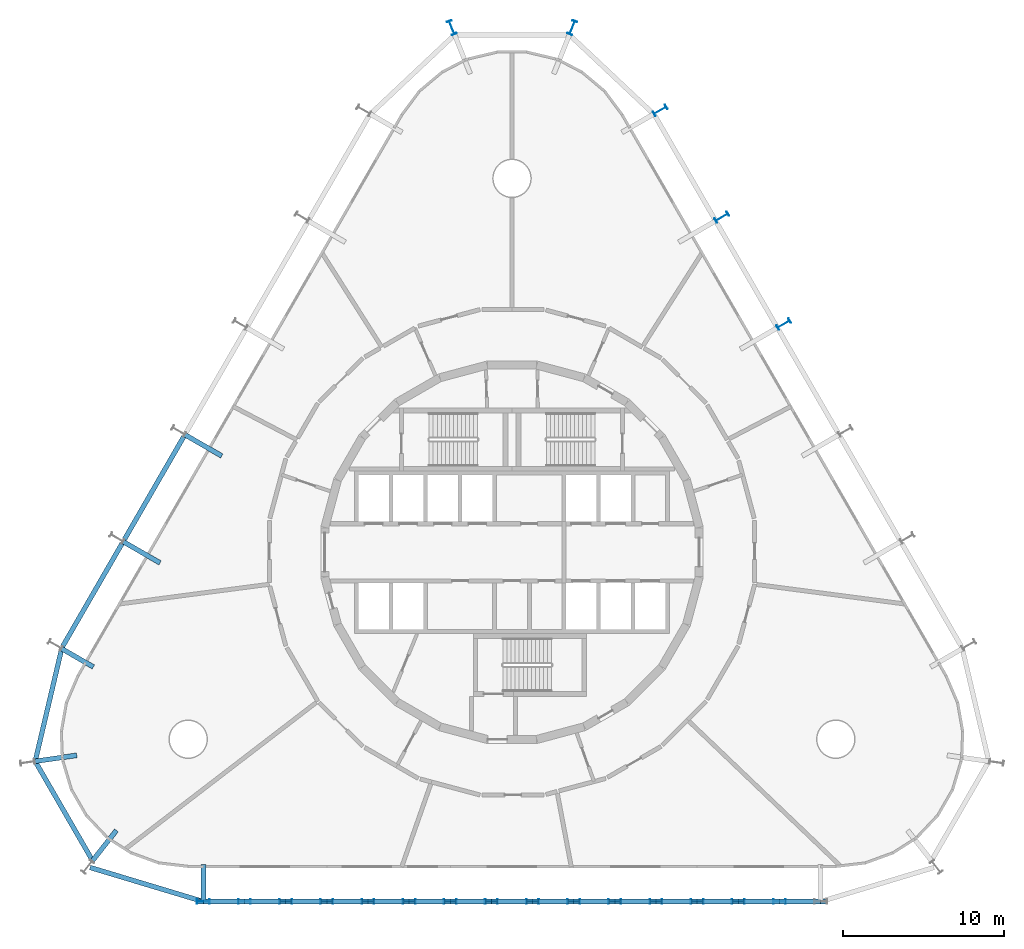
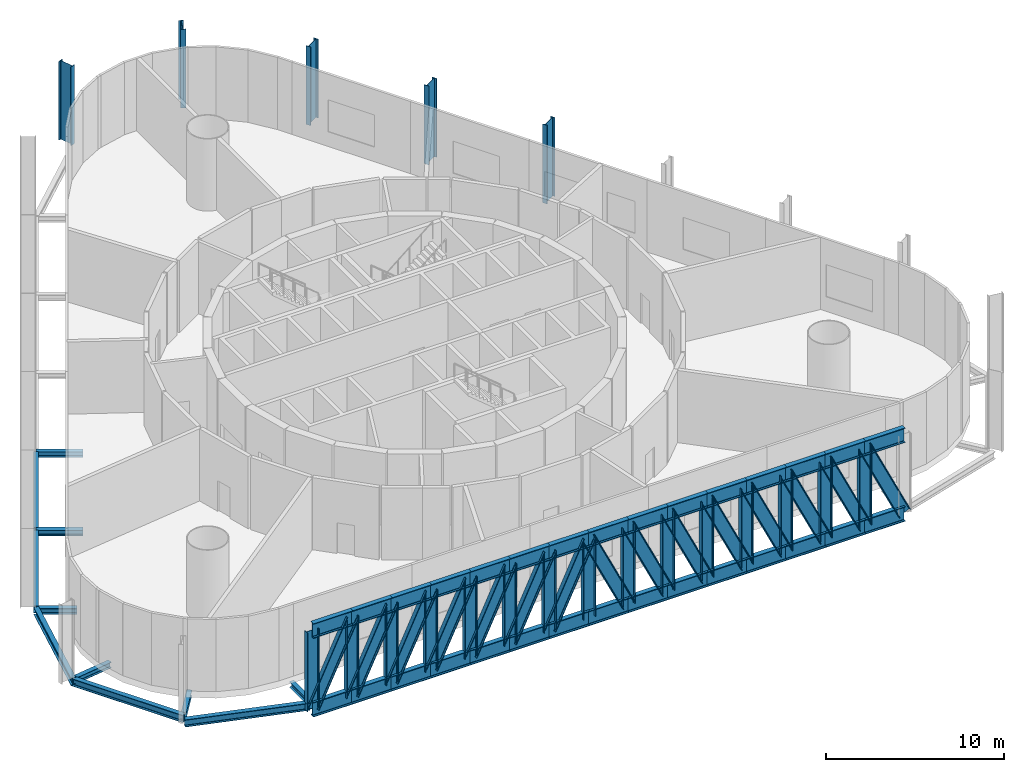
# One storey, part 2 of 11: 60 members, 11 beams, 5 columns.
"""IFC4 building model written with IfcOpenShell, lengths in metres."""

from ifc_helpers import new_model, si_unit, direction, frame, origin, origin_2d, place, context, subcontext, project, spatial, i_section, extrude, material, material_profile, profile_set, type_object, element, save


model = new_model("IFC4")

# Units and contexts
model_context = context("Model", 3, precision=1e-05, world=origin(), true_north=direction((0.0, 1.0)))
body_context = subcontext(model_context, "Body", "Model", "MODEL_VIEW")
ifc_project = project(units=[si_unit("LENGTHUNIT", "METRE"), si_unit("AREAUNIT", "SQUARE_METRE"), si_unit("VOLUMEUNIT", "CUBIC_METRE"), si_unit("PLANEANGLEUNIT", "RADIAN"), si_unit("MASSUNIT", "GRAM", prefix="KILO")], contexts=[model_context])

# Site, building, storey
site_placement = place(None, origin())
site = spatial("IfcSite", under=ifc_project, at=site_placement, CompositionType="ELEMENT")
building_placement = place(site_placement, origin())
building = spatial("IfcBuilding", under=site, at=building_placement, Name="Spindle Arch Residences", CompositionType="ELEMENT")
storey_placement = place(building_placement, frame((0.0, 0.0, 33.0)))
storey = spatial("IfcBuildingStorey", under=building, at=storey_placement, Name="L06", CompositionType="ELEMENT", Elevation=33.0)

# Columns
ifc_material_1 = material(Name="Steel S460ML, intumescent coating R 240", Category="steel")
ifc_material_profile_1 = material_profile(ifc_material_1, i_section(OverallWidth=0.300048828125, OverallDepth=0.89990234375, WebThickness=0.0185546875, FlangeThickness=0.034912109375, FilletRadius=0.030029296875, at=origin_2d()), Name="HEB 900")
ifc_profile_set_1 = profile_set([ifc_material_profile_1], Name="Steel S460ML, intumescent coating R 240")
column_type = type_object("IfcColumnType", Name="Exoskeleton post HEB 900", PredefinedType="COLUMN", material=ifc_profile_set_1)
for number, where, z_axis, x_axis, name in (
    (1, (16.898681640625, 14.1904296875, -0.449951171875), (0.0, 0.0, 1.0), (0.50000017485, -0.866025302835, 0.0), "Exoskeleton post 9"),
    (2, (13.05859375, 20.841796875, -0.449951171875), (0.0, 0.0, 1.0), (0.50000017485, -0.866025302835, 0.0), "Exoskeleton post 10"),
    (3, (9.218505859375, 27.492919921875, -0.449951171875), (0.0, 0.0, 1.0), (0.50000017485, -0.866025302835, 0.0), "Exoskeleton post 11"),
    (4, (3.748291015625, 32.638671875, -0.449951171875), (0.0, 0.0, 1.0), (0.928589751246, -0.371107900591, 0.0), "Exoskeleton post 12"),
    (5, (-3.748291015625, 32.638671875, -0.449951171875), (0.0, 0.0, 1.0), (0.928589751246, 0.371107900591, 0.0), "Exoskeleton post 13"),
):
    element("IfcColumn", number, at=place(storey_placement, frame(where, z_axis=z_axis, x_axis=x_axis)), inside=storey, type_object=column_type, Name=name, PredefinedType="COLUMN", context=body_context, shape_type="SweptSolid", body=[
        extrude(i_section(OverallWidth=0.300048828125, OverallDepth=0.89990234375, WebThickness=0.0185546875, FlangeThickness=0.034912109375, FilletRadius=0.030029296875, at=origin_2d()), origin(), (0.0, 0.0, 1.0), 5.39990234375),
    ])

# Members
ifc_material_2 = material(Name="Steel S460ML, intumescent coating R 240", Category="steel")
ifc_material_profile_2 = material_profile(ifc_material_2, i_section(OverallWidth=0.302001953125, OverallDepth=1.008056640625, WebThickness=0.02099609375, FlangeThickness=0.0400390625, FilletRadius=0.030029296875, at=origin_2d()), Name="HEM 1000")
ifc_profile_set_2 = profile_set([ifc_material_profile_2], Name="Steel S460ML, intumescent coating R 240")
member_type_1 = type_object("IfcMemberType", Name="Arch truss chord HEM 1000", PredefinedType="CHORD", material=ifc_profile_set_2)
for number, where, z_axis, x_axis, name in (
    (6, (-19.2001953125, -21.72998046875, -0.9541015625), (1.0, 0.0, 0.0), (0.0, 1.0, 0.0), "Transfer truss chord L06 1"),
    (7, (-19.2001953125, -21.72998046875, 4.446044921875), (1.0, 0.0, 0.0), (0.0, 1.0, 0.0), "Transfer truss chord L06 1"),
    (8, (-16.64013671875, -21.72998046875, -0.9541015625), (1.0, 0.0, 0.0), (0.0, 1.0, 0.0), "Transfer truss chord L06 2"),
    (9, (-16.64013671875, -21.72998046875, 4.446044921875), (1.0, 0.0, 0.0), (0.0, 1.0, 0.0), "Transfer truss chord L06 2"),
    (10, (-14.080078125, -21.72998046875, -0.9541015625), (1.0, 0.0, 0.0), (0.0, 1.0, 0.0), "Transfer truss chord L06 3"),
    (11, (-14.080078125, -21.72998046875, 4.446044921875), (1.0, 0.0, 0.0), (0.0, 1.0, 0.0), "Transfer truss chord L06 3"),
):
    element("IfcMember", number, at=place(storey_placement, frame(where, z_axis=z_axis, x_axis=x_axis)), inside=storey, type_object=member_type_1, Name=name, PredefinedType="CHORD", context=body_context, shape_type="SweptSolid", body=[
        extrude(i_section(OverallWidth=0.302001953125, OverallDepth=1.008056640625, WebThickness=0.02099609375, FlangeThickness=0.0400390625, FilletRadius=0.030029296875, at=origin_2d()), origin(), (0.0, 0.0, 1.0), 2.56005859375),
    ])
for number, where, z_axis, x_axis, name in (
    (12, (-11.52001953125, -21.72998046875, -0.9541015625), (1.0, 0.0, 0.0), (0.0, 1.0, 0.0), "Transfer truss chord L06 4"),
    (13, (-11.52001953125, -21.72998046875, 4.446044921875), (1.0, 0.0, 0.0), (0.0, 1.0, 0.0), "Transfer truss chord L06 4"),
):
    element("IfcMember", number, at=place(storey_placement, frame(where, z_axis=z_axis, x_axis=x_axis)), inside=storey, type_object=member_type_1, Name=name, PredefinedType="CHORD", context=body_context, shape_type="SweptSolid", body=[
        extrude(i_section(OverallWidth=0.302001953125, OverallDepth=1.008056640625, WebThickness=0.02099609375, FlangeThickness=0.0400390625, FilletRadius=0.030029296875, at=origin_2d()), origin(), (0.0, 0.0, 1.0), 2.559814453125),
    ])
for number, where, z_axis, x_axis, name in (
    (14, (-8.960205078125, -21.72998046875, -0.9541015625), (1.0, 0.0, 0.0), (0.0, 1.0, 0.0), "Transfer truss chord L06 5"),
    (15, (-8.960205078125, -21.72998046875, 4.446044921875), (1.0, 0.0, 0.0), (0.0, 1.0, 0.0), "Transfer truss chord L06 5"),
    (16, (-6.400146484375, -21.72998046875, -0.9541015625), (1.0, 0.0, 0.0), (0.0, 1.0, 0.0), "Transfer truss chord L06 6"),
    (17, (-6.400146484375, -21.72998046875, 4.446044921875), (1.0, 0.0, 0.0), (0.0, 1.0, 0.0), "Transfer truss chord L06 6"),
    (18, (-3.840087890625, -21.72998046875, -0.9541015625), (1.0, 0.0, 0.0), (0.0, 1.0, 0.0), "Transfer truss chord L06 7"),
    (19, (-3.840087890625, -21.72998046875, 4.446044921875), (1.0, 0.0, 0.0), (0.0, 1.0, 0.0), "Transfer truss chord L06 7"),
    (20, (-1.280029296875, -21.72998046875, -0.9541015625), (1.0, 0.0, 0.0), (0.0, 1.0, 0.0), "Transfer truss chord L06 8"),
    (21, (-1.280029296875, -21.72998046875, 4.446044921875), (1.0, 0.0, 0.0), (0.0, 1.0, 0.0), "Transfer truss chord L06 8"),
    (22, (1.280029296875, -21.72998046875, -0.9541015625), (1.0, 0.0, 0.0), (0.0, 1.0, 0.0), "Transfer truss chord L06 9"),
    (23, (1.280029296875, -21.72998046875, 4.446044921875), (1.0, 0.0, 0.0), (0.0, 1.0, 0.0), "Transfer truss chord L06 9"),
    (24, (3.840087890625, -21.72998046875, -0.9541015625), (1.0, 0.0, 0.0), (0.0, 1.0, 0.0), "Transfer truss chord L06 10"),
    (25, (3.840087890625, -21.72998046875, 4.446044921875), (1.0, 0.0, 0.0), (0.0, 1.0, 0.0), "Transfer truss chord L06 10"),
    (26, (6.400146484375, -21.72998046875, -0.9541015625), (1.0, 0.0, 0.0), (0.0, 1.0, 0.0), "Transfer truss chord L06 11"),
    (27, (6.400146484375, -21.72998046875, 4.446044921875), (1.0, 0.0, 0.0), (0.0, 1.0, 0.0), "Transfer truss chord L06 11"),
):
    element("IfcMember", number, at=place(storey_placement, frame(where, z_axis=z_axis, x_axis=x_axis)), inside=storey, type_object=member_type_1, Name=name, PredefinedType="CHORD", context=body_context, shape_type="SweptSolid", body=[
        extrude(i_section(OverallWidth=0.302001953125, OverallDepth=1.008056640625, WebThickness=0.02099609375, FlangeThickness=0.0400390625, FilletRadius=0.030029296875, at=origin_2d()), origin(), (0.0, 0.0, 1.0), 2.56005859375),
    ])
for number, where, z_axis, x_axis, name in (
    (28, (8.960205078125, -21.72998046875, -0.9541015625), (1.0, 0.0, 0.0), (0.0, 1.0, 0.0), "Transfer truss chord L06 12"),
    (29, (8.960205078125, -21.72998046875, 4.446044921875), (1.0, 0.0, 0.0), (0.0, 1.0, 0.0), "Transfer truss chord L06 12"),
):
    element("IfcMember", number, at=place(storey_placement, frame(where, z_axis=z_axis, x_axis=x_axis)), inside=storey, type_object=member_type_1, Name=name, PredefinedType="CHORD", context=body_context, shape_type="SweptSolid", body=[
        extrude(i_section(OverallWidth=0.302001953125, OverallDepth=1.008056640625, WebThickness=0.02099609375, FlangeThickness=0.0400390625, FilletRadius=0.030029296875, at=origin_2d()), origin(), (0.0, 0.0, 1.0), 2.559814453125),
    ])
for number, where, z_axis, x_axis, name in (
    (30, (11.52001953125, -21.72998046875, -0.9541015625), (1.0, 0.0, 0.0), (0.0, 1.0, 0.0), "Transfer truss chord L06 13"),
    (31, (11.52001953125, -21.72998046875, 4.446044921875), (1.0, 0.0, 0.0), (0.0, 1.0, 0.0), "Transfer truss chord L06 13"),
    (32, (14.080078125, -21.72998046875, -0.9541015625), (1.0, 0.0, 0.0), (0.0, 1.0, 0.0), "Transfer truss chord L06 14"),
    (33, (14.080078125, -21.72998046875, 4.446044921875), (1.0, 0.0, 0.0), (0.0, 1.0, 0.0), "Transfer truss chord L06 14"),
    (34, (16.64013671875, -21.72998046875, -0.9541015625), (1.0, 0.0, 0.0), (0.0, 1.0, 0.0), "Transfer truss chord L06 15"),
    (35, (16.64013671875, -21.72998046875, 4.446044921875), (1.0, 0.0, 0.0), (0.0, 1.0, 0.0), "Transfer truss chord L06 15"),
):
    element("IfcMember", number, at=place(storey_placement, frame(where, z_axis=z_axis, x_axis=x_axis)), inside=storey, type_object=member_type_1, Name=name, PredefinedType="CHORD", context=body_context, shape_type="SweptSolid", body=[
        extrude(i_section(OverallWidth=0.302001953125, OverallDepth=1.008056640625, WebThickness=0.02099609375, FlangeThickness=0.0400390625, FilletRadius=0.030029296875, at=origin_2d()), origin(), (0.0, 0.0, 1.0), 2.56005859375),
    ])
ifc_material_3 = material(Name="Steel S460ML, intumescent coating R 240", Category="steel")
ifc_material_profile_3 = material_profile(ifc_material_3, i_section(OverallWidth=0.302978515625, OverallDepth=0.81396484375, WebThickness=0.02099609375, FlangeThickness=0.0400390625, FilletRadius=0.030029296875, at=origin_2d()), Name="HEM 800")
ifc_profile_set_3 = profile_set([ifc_material_profile_3], Name="Steel S460ML, intumescent coating R 240")
member_type_2 = type_object("IfcMemberType", Name="Arch truss diagonal HEM 800", PredefinedType="BRACE", material=ifc_profile_set_3)
for number, where, z_axis, x_axis, name in (
    (36, (-19.2001953125, -21.72998046875, -0.9541015625), (0.428372563535, 0.0, 0.903602206068), (0.0, 1.0, 0.0), "Transfer truss diagonal L06 1"),
    (37, (-16.64013671875, -21.72998046875, -0.9541015625), (0.428372563535, 0.0, 0.903602206068), (0.0, 1.0, 0.0), "Transfer truss diagonal L06 2"),
    (38, (-14.080078125, -21.72998046875, -0.9541015625), (0.428372563535, 0.0, 0.903602206068), (0.0, 1.0, 0.0), "Transfer truss diagonal L06 3"),
):
    element("IfcMember", number, at=place(storey_placement, frame(where, z_axis=z_axis, x_axis=x_axis)), inside=storey, type_object=member_type_2, Name=name, PredefinedType="BRACE", context=body_context, shape_type="SweptSolid", body=[
        extrude(i_section(OverallWidth=0.302978515625, OverallDepth=0.81396484375, WebThickness=0.02099609375, FlangeThickness=0.0400390625, FilletRadius=0.030029296875, at=origin_2d()), origin(), (0.0, 0.0, 1.0), 5.976318359375),
    ])
member_1_placement = place(storey_placement, frame((-11.52001953125, -21.72998046875, -0.9541015625), z_axis=(0.428339207243, 0.0, 0.9036180186), x_axis=(0.0, 1.0, 0.0)))
element("IfcMember", 39, at=member_1_placement, inside=storey, type_object=member_type_2, Name="Transfer truss diagonal L06 4", PredefinedType="BRACE", context=body_context, shape_type="SweptSolid", body=[
    extrude(i_section(OverallWidth=0.302978515625, OverallDepth=0.81396484375, WebThickness=0.02099609375, FlangeThickness=0.0400390625, FilletRadius=0.030029296875, at=origin_2d()), origin(), (0.0, 0.0, 1.0), 5.97607421875),
])
for number, where, z_axis, x_axis, name in (
    (40, (-8.960205078125, -21.72998046875, -0.9541015625), (0.428372563535, 0.0, 0.903602206068), (0.0, 1.0, 0.0), "Transfer truss diagonal L06 5"),
    (41, (-6.400146484375, -21.72998046875, -0.9541015625), (0.428372563535, 0.0, 0.903602206068), (0.0, 1.0, 0.0), "Transfer truss diagonal L06 6"),
    (42, (-3.840087890625, -21.72998046875, -0.9541015625), (0.428372563535, 0.0, 0.903602206068), (0.0, 1.0, 0.0), "Transfer truss diagonal L06 7"),
    (43, (1.280029296875, -21.72998046875, -0.9541015625), (-0.428372563535, 0.0, 0.903602206068), (0.0, -1.0, 0.0), "Transfer truss diagonal L06 8"),
    (44, (3.840087890625, -21.72998046875, -0.9541015625), (-0.428372563535, 0.0, 0.903602206068), (0.0, -1.0, 0.0), "Transfer truss diagonal L06 9"),
    (45, (6.400146484375, -21.72998046875, -0.9541015625), (-0.428372563535, 0.0, 0.903602206068), (0.0, -1.0, 0.0), "Transfer truss diagonal L06 10"),
    (46, (8.960205078125, -21.72998046875, -0.9541015625), (-0.428372563535, 0.0, 0.903602206068), (0.0, -1.0, 0.0), "Transfer truss diagonal L06 11"),
):
    element("IfcMember", number, at=place(storey_placement, frame(where, z_axis=z_axis, x_axis=x_axis)), inside=storey, type_object=member_type_2, Name=name, PredefinedType="BRACE", context=body_context, shape_type="SweptSolid", body=[
        extrude(i_section(OverallWidth=0.302978515625, OverallDepth=0.81396484375, WebThickness=0.02099609375, FlangeThickness=0.0400390625, FilletRadius=0.030029296875, at=origin_2d()), origin(), (0.0, 0.0, 1.0), 5.976318359375),
    ])
member_2_placement = place(storey_placement, frame((11.52001953125, -21.72998046875, -0.9541015625), z_axis=(-0.428339207243, 0.0, 0.9036180186), x_axis=(0.0, -1.0, 0.0)))
element("IfcMember", 47, at=member_2_placement, inside=storey, type_object=member_type_2, Name="Transfer truss diagonal L06 12", PredefinedType="BRACE", context=body_context, shape_type="SweptSolid", body=[
    extrude(i_section(OverallWidth=0.302978515625, OverallDepth=0.81396484375, WebThickness=0.02099609375, FlangeThickness=0.0400390625, FilletRadius=0.030029296875, at=origin_2d()), origin(), (0.0, 0.0, 1.0), 5.97607421875),
])
for number, where, z_axis, x_axis, name in (
    (48, (14.080078125, -21.72998046875, -0.9541015625), (-0.428372563535, 0.0, 0.903602206068), (0.0, -1.0, 0.0), "Transfer truss diagonal L06 13"),
    (49, (16.64013671875, -21.72998046875, -0.9541015625), (-0.428372563535, 0.0, 0.903602206068), (0.0, -1.0, 0.0), "Transfer truss diagonal L06 14"),
    (50, (19.2001953125, -21.72998046875, -0.9541015625), (-0.428372563535, 0.0, 0.903602206068), (0.0, -1.0, 0.0), "Transfer truss diagonal L06 15"),
):
    element("IfcMember", number, at=place(storey_placement, frame(where, z_axis=z_axis, x_axis=x_axis)), inside=storey, type_object=member_type_2, Name=name, PredefinedType="BRACE", context=body_context, shape_type="SweptSolid", body=[
        extrude(i_section(OverallWidth=0.302978515625, OverallDepth=0.81396484375, WebThickness=0.02099609375, FlangeThickness=0.0400390625, FilletRadius=0.030029296875, at=origin_2d()), origin(), (0.0, 0.0, 1.0), 5.976318359375),
    ])
ifc_material_4 = material(Name="Steel S460ML, intumescent coating R 240", Category="steel")
ifc_material_profile_4 = material_profile(ifc_material_4, i_section(OverallWidth=0.300048828125, OverallDepth=0.800048828125, WebThickness=0.017578125, FlangeThickness=0.032958984375, FilletRadius=0.030029296875, at=origin_2d()), Name="HEB 800")
ifc_profile_set_4 = profile_set([ifc_material_profile_4], Name="Steel S460ML, intumescent coating R 240")
member_type_3 = type_object("IfcMemberType", Name="Arch truss post HEB 800", PredefinedType="POST", material=ifc_profile_set_4)
for number, where, z_axis, x_axis, name in (
    (51, (-19.2001953125, -21.72998046875, -0.9541015625), (0.0, 0.0, 1.0), (0.0, 1.0, 0.0), "Transfer truss post L06 1"),
    (52, (-16.64013671875, -21.72998046875, -0.9541015625), (0.0, 0.0, 1.0), (0.0, 1.0, 0.0), "Transfer truss post L06 2"),
    (53, (-14.080078125, -21.72998046875, -0.9541015625), (0.0, 0.0, 1.0), (0.0, 1.0, 0.0), "Transfer truss post L06 3"),
    (54, (-11.52001953125, -21.72998046875, -0.9541015625), (0.0, 0.0, 1.0), (0.0, 1.0, 0.0), "Transfer truss post L06 4"),
    (55, (-8.960205078125, -21.72998046875, -0.9541015625), (0.0, 0.0, 1.0), (0.0, 1.0, 0.0), "Transfer truss post L06 5"),
    (56, (-6.400146484375, -21.72998046875, -0.9541015625), (0.0, 0.0, 1.0), (0.0, 1.0, 0.0), "Transfer truss post L06 6"),
    (57, (-3.840087890625, -21.72998046875, -0.9541015625), (0.0, 0.0, 1.0), (0.0, 1.0, 0.0), "Transfer truss post L06 7"),
    (58, (-1.280029296875, -21.72998046875, -0.9541015625), (0.0, 0.0, 1.0), (0.0, 1.0, 0.0), "Transfer truss post L06 8"),
    (59, (1.280029296875, -21.72998046875, -0.9541015625), (0.0, 0.0, 1.0), (0.0, 1.0, 0.0), "Transfer truss post L06 9"),
    (60, (3.840087890625, -21.72998046875, -0.9541015625), (0.0, 0.0, 1.0), (0.0, 1.0, 0.0), "Transfer truss post L06 10"),
    (61, (6.400146484375, -21.72998046875, -0.9541015625), (0.0, 0.0, 1.0), (0.0, 1.0, 0.0), "Transfer truss post L06 11"),
    (62, (8.960205078125, -21.72998046875, -0.9541015625), (0.0, 0.0, 1.0), (0.0, 1.0, 0.0), "Transfer truss post L06 12"),
    (63, (11.52001953125, -21.72998046875, -0.9541015625), (0.0, 0.0, 1.0), (0.0, 1.0, 0.0), "Transfer truss post L06 13"),
    (64, (14.080078125, -21.72998046875, -0.9541015625), (0.0, 0.0, 1.0), (0.0, 1.0, 0.0), "Transfer truss post L06 14"),
    (65, (16.64013671875, -21.72998046875, -0.9541015625), (0.0, 0.0, 1.0), (0.0, 1.0, 0.0), "Transfer truss post L06 15"),
):
    element("IfcMember", number, at=place(storey_placement, frame(where, z_axis=z_axis, x_axis=x_axis)), inside=storey, type_object=member_type_3, Name=name, PredefinedType="POST", context=body_context, shape_type="SweptSolid", body=[
        extrude(i_section(OverallWidth=0.300048828125, OverallDepth=0.800048828125, WebThickness=0.017578125, FlangeThickness=0.032958984375, FilletRadius=0.030029296875, at=origin_2d()), origin(), (0.0, 0.0, 1.0), 5.400146484375),
    ])

# Beams
ifc_material_5 = material(Name="Steel S460ML, intumescent coating R 120", Category="steel")
ifc_material_profile_5 = material_profile(ifc_material_5, i_section(OverallWidth=0.300048828125, OverallDepth=0.5, WebThickness=0.014404296875, FlangeThickness=0.028076171875, FilletRadius=0.027099609375, at=origin_2d()), Name="HEB 500")
ifc_profile_set_5 = profile_set([ifc_material_profile_5], Name="Steel S460ML, intumescent coating R 120")
beam_type_1 = type_object("IfcBeamType", Name="Exoskeleton edge beam HEB 500", PredefinedType="BEAM", material=ifc_profile_set_5)
beam_1_placement = place(storey_placement, frame((-20.4140625, 7.201904296875, -0.699951171875), z_axis=(-0.49998923004, -0.866031621735, 0.0), x_axis=(0.866031621735, -0.49998923004, 0.0)))
element("IfcBeam", 66, at=beam_1_placement, inside=storey, type_object=beam_type_1, Name="Exoskeleton edge beam 17", PredefinedType="BEAM", context=body_context, shape_type="SweptSolid", body=[
    extrude(i_section(OverallWidth=0.300048828125, OverallDepth=0.5, WebThickness=0.014404296875, FlangeThickness=0.028076171875, FilletRadius=0.027099609375, at=origin_2d()), origin(), (0.0, 0.0, 1.0), 7.420166015625),
])
beam_2_placement = place(storey_placement, frame((-24.25390625, 0.550537109375, -0.699951171875), z_axis=(-0.50002815445, -0.866009148195, 0.0), x_axis=(0.866009148195, -0.50002815445, 0.0)))
element("IfcBeam", 67, at=beam_2_placement, inside=storey, type_object=beam_type_1, Name="Exoskeleton edge beam 18", PredefinedType="BEAM", context=body_context, shape_type="SweptSolid", body=[
    extrude(i_section(OverallWidth=0.300048828125, OverallDepth=0.5, WebThickness=0.014404296875, FlangeThickness=0.028076171875, FilletRadius=0.027099609375, at=origin_2d()), origin(), (0.0, 0.0, 1.0), 7.419921875),
])
beam_3_placement = place(storey_placement, frame((-28.006591796875, -5.974609375, -0.699951171875), z_axis=(-0.229185730541, -0.973382710406, 0.0), x_axis=(0.973382710406, -0.229185730541, 0.0)))
element("IfcBeam", 68, at=beam_3_placement, inside=storey, type_object=beam_type_1, Name="Exoskeleton edge beam 19", PredefinedType="BEAM", context=body_context, shape_type="SweptSolid", body=[
    extrude(i_section(OverallWidth=0.300048828125, OverallDepth=0.5, WebThickness=0.014404296875, FlangeThickness=0.028076171875, FilletRadius=0.027099609375, at=origin_2d()), origin(), (0.0, 0.0, 1.0), 7.25),
])
beam_4_placement = place(storey_placement, frame((-29.685302734375, -12.9609375, -0.699951171875), z_axis=(0.500025200273, -0.866010853911, 0.0), x_axis=(0.866010853911, 0.500025200273, 0.0)))
element("IfcBeam", 69, at=beam_4_placement, inside=storey, type_object=beam_type_1, Name="Exoskeleton edge beam 20", PredefinedType="BEAM", context=body_context, shape_type="SweptSolid", body=[
    extrude(i_section(OverallWidth=0.300048828125, OverallDepth=0.5, WebThickness=0.014404296875, FlangeThickness=0.028076171875, FilletRadius=0.027099609375, at=origin_2d()), origin(), (0.0, 0.0, 1.0), 7.236572265625),
])
beam_5_placement = place(storey_placement, frame((-26.248046875, -19.6083984375, -0.699951171875), z_axis=(0.957555604333, -0.288248615972, 0.0), x_axis=(0.288248615972, 0.957555604333, 0.0)))
element("IfcBeam", 70, at=beam_5_placement, inside=storey, type_object=beam_type_1, Name="Exoskeleton edge beam 21", PredefinedType="BEAM", context=body_context, shape_type="SweptSolid", body=[
    extrude(i_section(OverallWidth=0.300048828125, OverallDepth=0.5, WebThickness=0.014404296875, FlangeThickness=0.028076171875, FilletRadius=0.027099609375, at=origin_2d()), origin(), (0.0, 0.0, 1.0), 7.21044921875),
])
ifc_material_6 = material(Name="Steel S460ML, intumescent coating R 120", Category="steel")
ifc_material_profile_6 = material_profile(ifc_material_6, i_section(OverallWidth=0.300048828125, OverallDepth=0.389892578125, WebThickness=0.010986328125, FlangeThickness=0.01904296875, FilletRadius=0.027099609375, at=origin_2d()), Name="HEA 400")
ifc_profile_set_6 = profile_set([ifc_material_profile_6], Name="Steel S460ML, intumescent coating R 120")
beam_type_2 = type_object("IfcBeamType", Name="Floor outrigger HEA 400", PredefinedType="BEAM", material=ifc_profile_set_6)
beam_6_placement = place(storey_placement, frame((-20.34912109375, 7.314453125, -0.64501953125), z_axis=(0.866052124492, -0.499953715521, 0.0), x_axis=(0.499953715521, 0.866052124492, 0.0)))
element("IfcBeam", 71, at=beam_6_placement, inside=storey, type_object=beam_type_2, Name="Floor outrigger 17", PredefinedType="BEAM", context=body_context, shape_type="SweptSolid", body=[
    extrude(i_section(OverallWidth=0.300048828125, OverallDepth=0.389892578125, WebThickness=0.010986328125, FlangeThickness=0.01904296875, FilletRadius=0.027099609375, at=origin_2d()), origin(), (0.0, 0.0, 1.0), 2.650146484375),
])
beam_7_placement = place(storey_placement, frame((-24.18896484375, 0.6630859375, -0.64501953125), z_axis=(0.866029095148, -0.499993606316, 0.0), x_axis=(0.499993606316, 0.866029095148, 0.0)))
element("IfcBeam", 72, at=beam_7_placement, inside=storey, type_object=beam_type_2, Name="Floor outrigger 18", PredefinedType="BEAM", context=body_context, shape_type="SweptSolid", body=[
    extrude(i_section(OverallWidth=0.300048828125, OverallDepth=0.389892578125, WebThickness=0.010986328125, FlangeThickness=0.01904296875, FilletRadius=0.027099609375, at=origin_2d()), origin(), (0.0, 0.0, 1.0), 2.64990234375),
])
beam_8_placement = place(storey_placement, frame((-28.029052734375, -5.98779296875, -0.64501953125), z_axis=(0.866001280077, -0.50004178116, 0.0), x_axis=(0.50004178116, 0.866001280077, 0.0)))
element("IfcBeam", 73, at=beam_8_placement, inside=storey, type_object=beam_type_2, Name="Floor outrigger 19", PredefinedType="BEAM", context=body_context, shape_type="SweptSolid", body=[
    extrude(i_section(OverallWidth=0.300048828125, OverallDepth=0.389892578125, WebThickness=0.010986328125, FlangeThickness=0.01904296875, FilletRadius=0.027099609375, at=origin_2d()), origin(), (0.0, 0.0, 1.0), 2.294189453125),
])
beam_9_placement = place(storey_placement, frame((-29.694580078125, -13.009033203125, -0.64501953125), z_axis=(0.989738348309, 0.142891573883, 0.0), x_axis=(-0.142891573883, 0.989738348309, 0.0)))
element("IfcBeam", 74, at=beam_9_placement, inside=storey, type_object=beam_type_2, Name="Floor outrigger 20", PredefinedType="BEAM", context=body_context, shape_type="SweptSolid", body=[
    extrude(i_section(OverallWidth=0.300048828125, OverallDepth=0.389892578125, WebThickness=0.010986328125, FlangeThickness=0.01904296875, FilletRadius=0.027099609375, at=origin_2d()), origin(), (0.0, 0.0, 1.0), 2.64990234375),
])
beam_10_placement = place(storey_placement, frame((-26.11328125, -19.211669921875, -0.64501953125), z_axis=(0.618635993237, 0.785677737926, 0.0), x_axis=(-0.785677737926, 0.618635993237, 0.0)))
element("IfcBeam", 75, at=beam_10_placement, inside=storey, type_object=beam_type_2, Name="Floor outrigger 21", PredefinedType="BEAM", context=body_context, shape_type="SweptSolid", body=[
    extrude(i_section(OverallWidth=0.300048828125, OverallDepth=0.389892578125, WebThickness=0.010986328125, FlangeThickness=0.01904296875, FilletRadius=0.027099609375, at=origin_2d()), origin(), (0.0, 0.0, 1.0), 2.43505859375),
])
beam_11_placement = place(storey_placement, frame((-19.2001953125, -21.72998046875, -0.64501953125), z_axis=(0.0, 1.0, 0.0), x_axis=(-1.0, 0.0, 0.0)))
element("IfcBeam", 76, at=beam_11_placement, inside=storey, type_object=beam_type_2, Name="Floor outrigger 22", PredefinedType="BEAM", context=body_context, shape_type="SweptSolid", body=[
    extrude(i_section(OverallWidth=0.300048828125, OverallDepth=0.389892578125, WebThickness=0.010986328125, FlangeThickness=0.01904296875, FilletRadius=0.027099609375, at=origin_2d()), origin(), (0.0, 0.0, 1.0), 2.313232421875),
])

save(model, "model.ifc")
